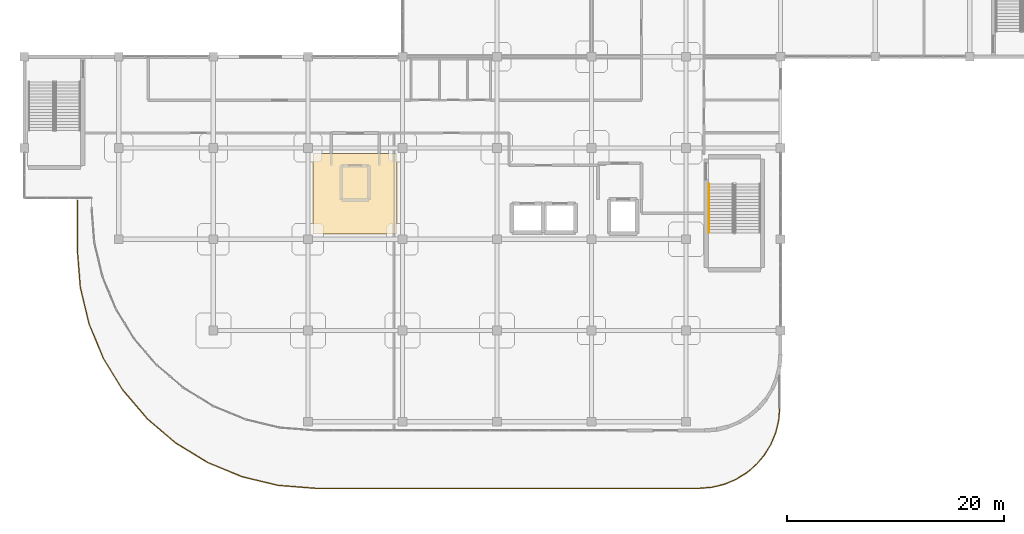
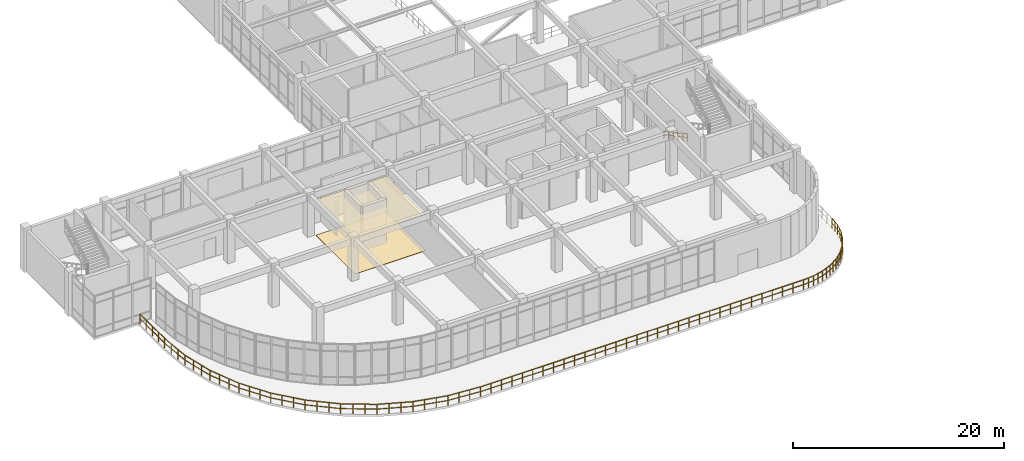
# One storey, part 86 of 96: 2 coverings, 2 railings.
"""IFC4 building model written with IfcOpenShell, lengths in metres."""

import ifcopenshell
import ifcopenshell.guid

model = None  # the IFC model being written
_history = None  # IfcOwnerHistory: only IFC2X3 demands one
_inside = {}  # id of a spatial element -> (the spatial element, [elements in it])
_under = {}  # id of a project, library or spatial element -> (it, [spatial elements below it])
_declared = {}  # id of a project -> (the project, [libraries it declares])
_typed = {}  # id of a type object -> (the type object, [elements of that type])
_made_of = {}  # id of a material, layer set ... -> (it, [elements and type objects made of it])


def new_model(schema):
    """Start an empty IFC model of exactly this schema.

    Asked for "IFC4X3", IfcOpenShell would pick the latest addendum, in which some entities
    have other attributes; the version numbers below select the first issue.
    IFC2X3 requires an IfcOwnerHistory on every rooted entity: one is made here for all.
    """
    global model, _history
    if schema == "IFC4X3":
        model = ifcopenshell.file(schema_version=(4, 3, 0, 0))
    else:
        model = ifcopenshell.file(schema=schema)
    _inside.clear()
    _under.clear()
    _declared.clear()
    _typed.clear()
    _made_of.clear()
    _history = None
    if model.schema == "IFC2X3":
        org = make("IfcOrganization", Name="unknown")
        user = make(
            "IfcPersonAndOrganization",
            ThePerson=make("IfcPerson", FamilyName="unknown"),
            TheOrganization=org,
        )
        app = make(
            "IfcApplication",
            ApplicationDeveloper=org,
            Version="unknown",
            ApplicationFullName="unknown",
            ApplicationIdentifier="unknown",
        )
        _history = make(
            "IfcOwnerHistory",
            OwningUser=user,
            OwningApplication=app,
            ChangeAction="ADDED",
            CreationDate=0,
        )
    return model


def make(cls, **values):
    """One entity of the class cls with the attributes given. An attribute that is None is left unset."""
    return model.create_entity(
        cls, **{name: value for name, value in values.items() if value is not None}
    )


def rooted(cls, **values):
    """An entity with a GlobalId (a new one), such as an element, a storey or a relation."""
    return make(cls, GlobalId=ifcopenshell.guid.new(), OwnerHistory=_history, **values)


def si_unit(unit_type, name, prefix=None):
    """IfcSIUnit, for example si_unit("LENGTHUNIT", "METRE", prefix="MILLI")."""
    return make("IfcSIUnit", UnitType=unit_type, Prefix=prefix, Name=name)


def derived_unit(unit_type, elements):
    """IfcDerivedUnit: a product of units, each with its exponent."""
    return make(
        "IfcDerivedUnit",
        Elements=[
            make("IfcDerivedUnitElement", Unit=unit, Exponent=power)
            for unit, power in elements
        ],
        UnitType=unit_type,
    )


def assignment(units):
    """IfcUnitAssignment: the units of a project."""
    return None if units is None else make("IfcUnitAssignment", Units=units)


def point(xyz):
    """IfcCartesianPoint."""
    return None if xyz is None else make("IfcCartesianPoint", Coordinates=xyz)


def direction(xyz):
    """IfcDirection."""
    return None if xyz is None else make("IfcDirection", DirectionRatios=xyz)


def frame(location, z_axis=None, x_axis=None):
    """IfcAxis2Placement3D, a coordinate frame: its origin and axes. An axis left out is left unset."""
    return make(
        "IfcAxis2Placement3D",
        Location=point(location),
        Axis=direction(z_axis),
        RefDirection=direction(x_axis),
    )


def frame_2d(location, x_axis=None):
    """IfcAxis2Placement2D, a coordinate frame in the plane: its origin and x axis."""
    return make(
        "IfcAxis2Placement2D", Location=point(location), RefDirection=direction(x_axis)
    )


def origin():
    """The frame at (0, 0, 0) with its axes left unset."""
    return frame((0.0, 0.0, 0.0))


def origin_2d():
    """The frame at (0, 0) in the plane with its x axis left unset."""
    return frame_2d((0.0, 0.0))


def place(relative_to, where):
    """IfcLocalPlacement: puts the frame where relative to a parent placement (None: the world)."""
    return make(
        "IfcLocalPlacement", PlacementRelTo=relative_to, RelativePlacement=where
    )


def context(
    kind, dimensions, precision=None, world=None, true_north=None, identifier=None
):
    """IfcGeometricRepresentationContext, for example the 3D "Model" context."""
    return make(
        "IfcGeometricRepresentationContext",
        ContextIdentifier=identifier,
        ContextType=kind,
        CoordinateSpaceDimension=dimensions,
        Precision=precision,
        WorldCoordinateSystem=world,
        TrueNorth=true_north,
    )


def subcontext(parent, identifier, kind, view, scale=None):
    """IfcGeometricRepresentationSubContext, for example "Body" below "Model"."""
    return make(
        "IfcGeometricRepresentationSubContext",
        ContextIdentifier=identifier,
        ContextType=kind,
        ParentContext=parent,
        TargetScale=scale,
        TargetView=view,
    )


def project(units=None, contexts=None):
    """IfcProject with its units and contexts."""
    return rooted(
        "IfcProject",
        Name="project",
        RepresentationContexts=contexts,
        UnitsInContext=assignment(units),
    )


def spatial(cls, under=None, at=None, **own):
    """A site, building, storey or space (cls), placed at a placement, below another one or the project."""
    s = rooted(cls, ObjectPlacement=at, **own)
    if under is not None:
        _under.setdefault(under.id(), (under, []))[1].append(s)
    return s


def polyline(points):
    """IfcPolyline through the points."""
    return make("IfcPolyline", Points=[point(p) for p in points])


def profile(cls, at=None, kind="AREA", **sizes):
    """A parametric profile (cls). Its sizes go by their IFC names, for example OverallWidth=200.0."""
    return make(cls, ProfileType=kind, Position=at, **sizes)


def circle(**sizes):
    """IfcCircleProfileDef."""
    return profile("IfcCircleProfileDef", **sizes)


def outline(outer, holes=None, kind="AREA"):
    """IfcArbitraryClosedProfileDef: a profile drawn as a closed curve; with holes, ...WithVoids."""
    if holes is None:
        return make("IfcArbitraryClosedProfileDef", ProfileType=kind, OuterCurve=outer)
    return make(
        "IfcArbitraryProfileDefWithVoids",
        ProfileType=kind,
        OuterCurve=outer,
        InnerCurves=holes,
    )


def extrude(swept, where, along, depth):
    """IfcExtrudedAreaSolid: the profile swept, set in the frame where, extruded along a direction by depth."""
    return make(
        "IfcExtrudedAreaSolid",
        SweptArea=swept,
        Position=where,
        ExtrudedDirection=direction(along),
        Depth=depth,
    )


def shape(context_of_items, identifier, shape_type, items):
    """IfcShapeRepresentation: the items that make up one representation, for example the "Body"."""
    return make(
        "IfcShapeRepresentation",
        ContextOfItems=context_of_items,
        RepresentationIdentifier=identifier,
        RepresentationType=shape_type,
        Items=items,
    )


def material(Name=None, Category=None):
    """IfcMaterial."""
    return make("IfcMaterial", Name=Name, Category=Category)


def layer(
    of_material, thickness, ventilated=None, Name=None, Category=None, Priority=None
):
    """IfcMaterialLayer: one layer of a wall or slab, of a material (None: an air gap)."""
    return make(
        "IfcMaterialLayer",
        Material=of_material,
        LayerThickness=thickness,
        IsVentilated=ventilated,
        Name=Name,
        Category=Category,
        Priority=Priority,
    )


def layer_set(layers, Name=None):
    """IfcMaterialLayerSet."""
    return make("IfcMaterialLayerSet", MaterialLayers=layers, LayerSetName=Name)


def made_of(thing, what):
    """Note that an element or type object is made of a material, layer set ...; save() writes the relation."""
    if what is not None:
        _made_of.setdefault(what.id(), (what, []))[1].append(thing)
    return thing


def type_object(cls, material=None, **own):
    """A type object (cls), such as IfcWallType, which elements share."""
    return made_of(rooted(cls, **own), material)


def element(
    cls,
    number,
    at=None,
    inside=None,
    cuts=None,
    type_object=None,
    material=None,
    context=None,
    identifier="Body",
    shape_type=None,
    held_by="IfcProductDefinitionShape",
    body=None,
    shapes=None,
    **own,
):
    """One element of the class cls, such as IfcWall. Its Tag is "e" and its number.

    at: its placement. inside: the storey or other place that contains it. cuts: it is an
    opening in that element (IfcRelVoidsElement). A single representation is given by context,
    identifier, shape_type and body (its items); several are given by shapes. held_by: the class
    of the entity that holds the representations. save() writes the other relations.
    """
    e = rooted(cls, Tag="e%d" % number, ObjectPlacement=at, **own)
    if body is not None:
        shapes = [shape(context, identifier, shape_type, body)]
    if shapes is not None:
        e.Representation = make(held_by, Representations=shapes)
    if inside is not None:
        _inside.setdefault(inside.id(), (inside, []))[1].append(e)
    if cuts is not None:
        rooted(
            "IfcRelVoidsElement", RelatingBuildingElement=cuts, RelatedOpeningElement=e
        )
    if type_object is not None:
        _typed.setdefault(type_object.id(), (type_object, []))[1].append(e)
    return made_of(e, material)


def aggregate(whole, parts):
    """IfcRelAggregates: a whole, such as a stair, and the parts it consists of."""
    return rooted("IfcRelAggregates", RelatingObject=whole, RelatedObjects=parts)


def save(model, path):
    """Write the relations noted so far, then the file.

    IfcRelAggregates (storeys below a building ...), IfcRelContainedInSpatialStructure (elements
    in a storey), IfcRelDefinesByType, IfcRelAssociatesMaterial and IfcRelDeclares: one each for
    every whole, place, type object, material and project.
    """
    for whole, parts in _under.values():
        aggregate(whole, parts)
    for where, things in _inside.values():
        rooted(
            "IfcRelContainedInSpatialStructure",
            RelatedElements=things,
            RelatingStructure=where,
        )
    for kind, things in _typed.values():
        rooted("IfcRelDefinesByType", RelatedObjects=things, RelatingType=kind)
    for what, things in _made_of.values():
        rooted("IfcRelAssociatesMaterial", RelatedObjects=things, RelatingMaterial=what)
    for by, libraries in _declared.values():
        rooted("IfcRelDeclares", RelatingContext=by, RelatedDefinitions=libraries)
    model.write(path)


model = new_model("IFC4")

# Units and contexts
model_context = context("Model", 3, precision=1e-05, world=origin(), true_north=direction((0.0, 1.0)))
body_context = subcontext(model_context, "Body", "Model", "MODEL_VIEW")
ifc_project = project(units=[si_unit("LENGTHUNIT", "METRE"), si_unit("AREAUNIT", "SQUARE_METRE"), si_unit("VOLUMEUNIT", "CUBIC_METRE"), si_unit("PLANEANGLEUNIT", "RADIAN"), si_unit("MASSUNIT", "GRAM", prefix="KILO"), derived_unit("THERMALTRANSMITTANCEUNIT", [(si_unit("MASSUNIT", "GRAM", prefix="KILO"), 1), (si_unit("TIMEUNIT", "SECOND"), -3), (si_unit("THERMODYNAMICTEMPERATUREUNIT", "KELVIN"), -1)])], contexts=[model_context])

# Site, building, storey
site_placement = place(None, origin())
site = spatial("IfcSite", under=ifc_project, at=site_placement, CompositionType="ELEMENT")
building_placement = place(site_placement, origin())
building = spatial("IfcBuilding", under=site, at=building_placement, Name="Qinzheling Arcade Emporium", CompositionType="ELEMENT")
storey_placement = place(building_placement, frame((0.0, 0.0, 21.60009765625)))
storey = spatial("IfcBuildingStorey", under=building, at=storey_placement, Name="L05", CompositionType="ELEMENT", Elevation=21.60009765625)

# Railing
ifc_material_1 = material(Name="Architectural bronze rail and laminated safety glass", Category="glass")
railing_type_1 = type_object("IfcRailingType", Name="Curved Terrace Laminated Glass and Bronze Balustrade 1150", PredefinedType="BALUSTRADE", material=ifc_material_1)
railing_1_placement = place(storey_placement, frame((69.52001953125, 9.702880859375, 0.0)))
element("IfcRailing", 1, at=railing_1_placement, inside=storey, type_object=railing_type_1, Name="Terrace Balustrade RLG-TER-L05-008", PredefinedType="BALUSTRADE", context=body_context, shape_type="SweptSolid", body=[
    extrude(circle(Radius=0.02392578125, at=origin_2d()), frame((0.0, 0.0, 1.1259765625), z_axis=(-0.078072952537, -0.996947648617, 0.0), x_axis=(0.996947648617, -0.078072952537, 0.0)), (0.0, 0.0, 1.0), 1.16650390625),
    extrude(circle(Radius=0.01611328125, at=origin_2d()), frame((0.0, 0.0, 0.574951171875), z_axis=(-0.078072952537, -0.996947648617, 0.0), x_axis=(0.996947648617, -0.078072952537, 0.0)), (0.0, 0.0, 1.0), 1.16650390625),
    extrude(circle(Radius=0.02392578125, at=origin_2d()), frame((-0.091064453125, -1.162841796875, 1.1259765625), z_axis=(-0.233404649694, -0.972379694102, 0.0), x_axis=(0.972379694102, -0.233404649694, 0.0)), (0.0, 0.0, 1.0), 1.165283203125),
    extrude(circle(Radius=0.01611328125, at=origin_2d()), frame((-0.091064453125, -1.162841796875, 0.574951171875), z_axis=(-0.233404649694, -0.972379694102, 0.0), x_axis=(0.972379694102, -0.233404649694, 0.0)), (0.0, 0.0, 1.0), 1.165283203125),
    extrude(circle(Radius=0.02392578125, at=origin_2d()), frame((-0.363037109375, -2.2958984375, 1.1259765625), z_axis=(-0.382962672075, -0.92376381819, 0.0), x_axis=(0.92376381819, -0.382962672075, 0.0)), (0.0, 0.0, 1.0), 1.164794921875),
    extrude(circle(Radius=0.01611328125, at=origin_2d()), frame((-0.363037109375, -2.2958984375, 0.574951171875), z_axis=(-0.382962672075, -0.92376381819, 0.0), x_axis=(0.92376381819, -0.382962672075, 0.0)), (0.0, 0.0, 1.0), 1.164794921875),
    extrude(circle(Radius=0.02392578125, at=origin_2d()), frame((-0.80908203125, -3.371826171875, 1.1259765625), z_axis=(-0.522527611552, -0.852622363749, 0.0), x_axis=(0.852622363749, -0.522527611552, 0.0)), (0.0, 0.0, 1.0), 1.163330078125),
    extrude(circle(Radius=0.01611328125, at=origin_2d()), frame((-0.80908203125, -3.371826171875, 0.574951171875), z_axis=(-0.522527611552, -0.852622363749, 0.0), x_axis=(0.852622363749, -0.522527611552, 0.0)), (0.0, 0.0, 1.0), 1.163330078125),
    extrude(circle(Radius=0.02392578125, at=origin_2d()), frame((-1.4169921875, -4.36376953125, 1.1259765625), z_axis=(-0.650048741451, -0.759892514595, 0.0), x_axis=(0.759892514595, -0.650048741451, 0.0)), (0.0, 0.0, 1.0), 1.16455078125),
    extrude(circle(Radius=0.01611328125, at=origin_2d()), frame((-1.4169921875, -4.36376953125, 0.574951171875), z_axis=(-0.650048741451, -0.759892514595, 0.0), x_axis=(0.759892514595, -0.650048741451, 0.0)), (0.0, 0.0, 1.0), 1.16455078125),
    extrude(circle(Radius=0.02392578125, at=origin_2d()), frame((-2.174072265625, -5.248779296875, 1.1259765625), z_axis=(-0.759892514595, -0.650048741451, 0.0), x_axis=(0.650048741451, -0.759892514595, 0.0)), (0.0, 0.0, 1.0), 1.16455078125),
    extrude(circle(Radius=0.01611328125, at=origin_2d()), frame((-2.174072265625, -5.248779296875, 0.574951171875), z_axis=(-0.759892514595, -0.650048741451, 0.0), x_axis=(0.650048741451, -0.759892514595, 0.0)), (0.0, 0.0, 1.0), 1.16455078125),
    extrude(circle(Radius=0.02392578125, at=origin_2d()), frame((-3.05908203125, -6.005859375, 1.1259765625), z_axis=(-0.852622363749, -0.522527611552, 0.0), x_axis=(0.522527611552, -0.852622363749, 0.0)), (0.0, 0.0, 1.0), 1.163330078125),
    extrude(circle(Radius=0.01611328125, at=origin_2d()), frame((-3.05908203125, -6.005859375, 0.574951171875), z_axis=(-0.852622363749, -0.522527611552, 0.0), x_axis=(0.522527611552, -0.852622363749, 0.0)), (0.0, 0.0, 1.0), 1.163330078125),
    extrude(circle(Radius=0.02392578125, at=origin_2d()), frame((-4.051025390625, -6.61376953125, 1.1259765625), z_axis=(-0.92376381819, -0.382962672075, 0.0), x_axis=(0.382962672075, -0.92376381819, 0.0)), (0.0, 0.0, 1.0), 1.164794921875),
    extrude(circle(Radius=0.01611328125, at=origin_2d()), frame((-4.051025390625, -6.61376953125, 0.574951171875), z_axis=(-0.92376381819, -0.382962672075, 0.0), x_axis=(0.382962672075, -0.92376381819, 0.0)), (0.0, 0.0, 1.0), 1.164794921875),
    extrude(circle(Radius=0.02392578125, at=origin_2d()), frame((-5.126953125, -7.059814453125, 1.1259765625), z_axis=(-0.972379694102, -0.233404649694, 0.0), x_axis=(0.233404649694, -0.972379694102, 0.0)), (0.0, 0.0, 1.0), 1.165283203125),
    extrude(circle(Radius=0.01611328125, at=origin_2d()), frame((-5.126953125, -7.059814453125, 0.574951171875), z_axis=(-0.972379694102, -0.233404649694, 0.0), x_axis=(0.233404649694, -0.972379694102, 0.0)), (0.0, 0.0, 1.0), 1.165283203125),
    extrude(circle(Radius=0.02392578125, at=origin_2d()), frame((-6.260009765625, -7.331787109375, 1.1259765625), z_axis=(-0.996948924048, -0.078056664288, 0.0), x_axis=(0.078056664288, -0.996948924048, 0.0)), (0.0, 0.0, 1.0), 1.166748046875),
    extrude(circle(Radius=0.01611328125, at=origin_2d()), frame((-6.260009765625, -7.331787109375, 0.574951171875), z_axis=(-0.996948924048, -0.078056664288, 0.0), x_axis=(0.078056664288, -0.996948924048, 0.0)), (0.0, 0.0, 1.0), 1.166748046875),
    extrude(circle(Radius=0.02392578125, at=origin_2d()), frame((-7.423095703125, -7.4228515625, 1.1259765625), z_axis=(-1.0, 0.0, 0.0), x_axis=(0.0, -1.0, 0.0)), (0.0, 0.0, 1.0), 35.2939453125),
    extrude(circle(Radius=0.01611328125, at=origin_2d()), frame((-7.423095703125, -7.4228515625, 0.574951171875), z_axis=(-1.0, 0.0, 0.0), x_axis=(0.0, -1.0, 0.0)), (0.0, 0.0, 1.0), 35.2939453125),
    extrude(circle(Radius=0.02392578125, at=origin_2d()), frame((-42.717041015625, -7.4228515625, 1.1259765625), z_axis=(-0.996919052515, 0.078437253474, 0.0), x_axis=(-0.078437253474, -0.996919052515, 0.0)), (0.0, 0.0, 1.0), 3.4423828125),
    extrude(circle(Radius=0.01611328125, at=origin_2d()), frame((-42.717041015625, -7.4228515625, 0.574951171875), z_axis=(-0.996919052515, 0.078437253474, 0.0), x_axis=(-0.078437253474, -0.996919052515, 0.0)), (0.0, 0.0, 1.0), 3.4423828125),
    extrude(circle(Radius=0.02392578125, at=origin_2d()), frame((-46.14892578125, -7.15283203125, 1.1259765625), z_axis=(-0.972359586201, 0.233488404688, 0.0), x_axis=(-0.233488404688, -0.972359586201, 0.0)), (0.0, 0.0, 1.0), 3.43896484375),
    extrude(circle(Radius=0.01611328125, at=origin_2d()), frame((-46.14892578125, -7.15283203125, 0.574951171875), z_axis=(-0.972359586201, 0.233488404688, 0.0), x_axis=(-0.233488404688, -0.972359586201, 0.0)), (0.0, 0.0, 1.0), 3.43896484375),
    extrude(circle(Radius=0.02392578125, at=origin_2d()), frame((-49.492919921875, -6.349853515625, 1.1259765625), z_axis=(-0.923876748429, 0.382690153665, 0.0), x_axis=(-0.382690153665, -0.923876748429, 0.0)), (0.0, 0.0, 1.0), 3.441162109375),
    extrude(circle(Radius=0.01611328125, at=origin_2d()), frame((-49.492919921875, -6.349853515625, 0.574951171875), z_axis=(-0.923876748429, 0.382690153665, 0.0), x_axis=(-0.382690153665, -0.923876748429, 0.0)), (0.0, 0.0, 1.0), 3.441162109375),
    extrude(circle(Radius=0.02392578125, at=origin_2d()), frame((-52.672119140625, -5.032958984375, 1.1259765625), z_axis=(-0.852580844681, 0.522595353293, 0.0), x_axis=(-0.522595353293, -0.852580844681, 0.0)), (0.0, 0.0, 1.0), 3.438720703125),
    extrude(circle(Radius=0.01611328125, at=origin_2d()), frame((-52.672119140625, -5.032958984375, 0.574951171875), z_axis=(-0.852580844681, 0.522595353293, 0.0), x_axis=(-0.522595353293, -0.852580844681, 0.0)), (0.0, 0.0, 1.0), 3.438720703125),
    extrude(circle(Radius=0.02392578125, at=origin_2d()), frame((-55.60400390625, -3.23583984375, 1.1259765625), z_axis=(-0.760337889798, 0.649527746396, 0.0), x_axis=(-0.649527746396, -0.760337889798, 0.0)), (0.0, 0.0, 1.0), 3.439208984375),
    extrude(circle(Radius=0.01611328125, at=origin_2d()), frame((-55.60400390625, -3.23583984375, 0.574951171875), z_axis=(-0.760337889798, 0.649527746396, 0.0), x_axis=(-0.649527746396, -0.760337889798, 0.0)), (0.0, 0.0, 1.0), 3.439208984375),
    extrude(circle(Radius=0.02392578125, at=origin_2d()), frame((-58.218994140625, -1.001953125, 1.1259765625), z_axis=(-0.649568781907, 0.760302832806, 0.0), x_axis=(-0.760302832806, -0.649568781907, 0.0)), (0.0, 0.0, 1.0), 3.439453125),
    extrude(circle(Radius=0.01611328125, at=origin_2d()), frame((-58.218994140625, -1.001953125, 0.574951171875), z_axis=(-0.649568781907, 0.760302832806, 0.0), x_axis=(-0.760302832806, -0.649568781907, 0.0)), (0.0, 0.0, 1.0), 3.439453125),
    extrude(circle(Radius=0.02392578125, at=origin_2d()), frame((-60.453125, 1.613037109375, 1.1259765625), z_axis=(-0.52251211456, 0.852631860851, 0.0), x_axis=(-0.852631860851, -0.52251211456, 0.0)), (0.0, 0.0, 1.0), 3.43896484375),
    extrude(circle(Radius=0.01611328125, at=origin_2d()), frame((-60.453125, 1.613037109375, 0.574951171875), z_axis=(-0.52251211456, 0.852631860851, 0.0), x_axis=(-0.852631860851, -0.52251211456, 0.0)), (0.0, 0.0, 1.0), 3.43896484375),
    extrude(circle(Radius=0.02392578125, at=origin_2d()), frame((-62.25, 4.545166015625, 1.1259765625), z_axis=(-0.382775796369, 0.923841268679, 0.0), x_axis=(-0.923841268679, -0.382775796369, 0.0)), (0.0, 0.0, 1.0), 3.44091796875),
    extrude(circle(Radius=0.01611328125, at=origin_2d()), frame((-62.25, 4.545166015625, 0.574951171875), z_axis=(-0.382775796369, 0.923841268679, 0.0), x_axis=(-0.923841268679, -0.382775796369, 0.0)), (0.0, 0.0, 1.0), 3.44091796875),
    extrude(circle(Radius=0.02392578125, at=origin_2d()), frame((-63.567138671875, 7.72412109375, 1.1259765625), z_axis=(-0.233488404688, 0.972359586201, 0.0), x_axis=(-0.972359586201, -0.233488404688, 0.0)), (0.0, 0.0, 1.0), 3.43896484375),
    extrude(circle(Radius=0.01611328125, at=origin_2d()), frame((-63.567138671875, 7.72412109375, 0.574951171875), z_axis=(-0.233488404688, 0.972359586201, 0.0), x_axis=(-0.972359586201, -0.233488404688, 0.0)), (0.0, 0.0, 1.0), 3.43896484375),
    extrude(circle(Radius=0.02392578125, at=origin_2d()), frame((-64.3701171875, 11.068115234375, 1.1259765625), z_axis=(-0.078437253474, 0.996919052515, 0.0), x_axis=(-0.996919052515, -0.078437253474, 0.0)), (0.0, 0.0, 1.0), 3.4423828125),
    extrude(circle(Radius=0.01611328125, at=origin_2d()), frame((-64.3701171875, 11.068115234375, 0.574951171875), z_axis=(-0.078437253474, 0.996919052515, 0.0), x_axis=(-0.996919052515, -0.078437253474, 0.0)), (0.0, 0.0, 1.0), 3.4423828125),
    extrude(circle(Radius=0.02392578125, at=origin_2d()), frame((-64.64013671875, 14.5, 1.1259765625), z_axis=(0.0, 1.0, 0.0), x_axis=(-1.0, 0.0, 0.0)), (0.0, 0.0, 1.0), 4.5771484375),
    extrude(circle(Radius=0.01611328125, at=origin_2d()), frame((-64.64013671875, 14.5, 0.574951171875), z_axis=(0.0, 1.0, 0.0), x_axis=(-1.0, 0.0, 0.0)), (0.0, 0.0, 1.0), 4.5771484375),
    extrude(circle(Radius=0.02099609375, at=origin_2d()), origin(), (0.0, 0.0, 1.0), 1.101806640625),
    extrude(circle(Radius=0.02099609375, at=origin_2d()), frame((-0.04541015625, -0.58154296875, 0.0)), (0.0, 0.0, 1.0), 1.101806640625),
    extrude(circle(Radius=0.02099609375, at=origin_2d()), frame((-0.091064453125, -1.162841796875, 0.0)), (0.0, 0.0, 1.0), 1.101806640625),
    extrude(circle(Radius=0.02099609375, at=origin_2d()), frame((-0.22705078125, -1.7294921875, 0.0)), (0.0, 0.0, 1.0), 1.101806640625),
    extrude(circle(Radius=0.02099609375, at=origin_2d()), frame((-0.363037109375, -2.2958984375, 0.0)), (0.0, 0.0, 1.0), 1.101806640625),
    extrude(circle(Radius=0.02099609375, at=origin_2d()), frame((-0.5859375, -2.833984375, 0.0)), (0.0, 0.0, 1.0), 1.101806640625),
    extrude(circle(Radius=0.02099609375, at=origin_2d()), frame((-0.80908203125, -3.371826171875, 0.0)), (0.0, 0.0, 1.0), 1.101806640625),
    extrude(circle(Radius=0.02099609375, at=origin_2d()), frame((-1.113037109375, -3.86767578125, 0.0)), (0.0, 0.0, 1.0), 1.101806640625),
    extrude(circle(Radius=0.02099609375, at=origin_2d()), frame((-1.4169921875, -4.36376953125, 0.0)), (0.0, 0.0, 1.0), 1.101806640625),
    extrude(circle(Radius=0.02099609375, at=origin_2d()), frame((-1.79541015625, -4.80615234375, 0.0)), (0.0, 0.0, 1.0), 1.101806640625),
    extrude(circle(Radius=0.02099609375, at=origin_2d()), frame((-2.174072265625, -5.248779296875, 0.0)), (0.0, 0.0, 1.0), 1.101806640625),
    extrude(circle(Radius=0.02099609375, at=origin_2d()), frame((-2.61669921875, -5.62744140625, 0.0)), (0.0, 0.0, 1.0), 1.101806640625),
    extrude(circle(Radius=0.02099609375, at=origin_2d()), frame((-3.05908203125, -6.005859375, 0.0)), (0.0, 0.0, 1.0), 1.101806640625),
    extrude(circle(Radius=0.02099609375, at=origin_2d()), frame((-3.55517578125, -6.309814453125, 0.0)), (0.0, 0.0, 1.0), 1.101806640625),
    extrude(circle(Radius=0.02099609375, at=origin_2d()), frame((-4.051025390625, -6.61376953125, 0.0)), (0.0, 0.0, 1.0), 1.101806640625),
    extrude(circle(Radius=0.02099609375, at=origin_2d()), frame((-4.5888671875, -6.8369140625, 0.0)), (0.0, 0.0, 1.0), 1.101806640625),
    extrude(circle(Radius=0.02099609375, at=origin_2d()), frame((-5.126953125, -7.059814453125, 0.0)), (0.0, 0.0, 1.0), 1.101806640625),
    extrude(circle(Radius=0.02099609375, at=origin_2d()), frame((-5.693359375, -7.19580078125, 0.0)), (0.0, 0.0, 1.0), 1.101806640625),
    extrude(circle(Radius=0.02099609375, at=origin_2d()), frame((-6.260009765625, -7.331787109375, 0.0)), (0.0, 0.0, 1.0), 1.101806640625),
    extrude(circle(Radius=0.02099609375, at=origin_2d()), frame((-6.841552734375, -7.37744140625, 0.0)), (0.0, 0.0, 1.0), 1.101806640625),
    extrude(circle(Radius=0.02099609375, at=origin_2d()), frame((-7.423095703125, -7.4228515625, 0.0)), (0.0, 0.0, 1.0), 1.101806640625),
    extrude(circle(Radius=0.02099609375, at=origin_2d()), frame((-8.5615234375, -7.4228515625, 0.0)), (0.0, 0.0, 1.0), 1.101806640625),
    extrude(circle(Radius=0.02099609375, at=origin_2d()), frame((-9.7001953125, -7.4228515625, 0.0)), (0.0, 0.0, 1.0), 1.101806640625),
    extrude(circle(Radius=0.02099609375, at=origin_2d()), frame((-10.838623046875, -7.4228515625, 0.0)), (0.0, 0.0, 1.0), 1.101806640625),
    extrude(circle(Radius=0.02099609375, at=origin_2d()), frame((-11.97705078125, -7.4228515625, 0.0)), (0.0, 0.0, 1.0), 1.101806640625),
    extrude(circle(Radius=0.02099609375, at=origin_2d()), frame((-13.11572265625, -7.4228515625, 0.0)), (0.0, 0.0, 1.0), 1.101806640625),
    extrude(circle(Radius=0.02099609375, at=origin_2d()), frame((-14.254150390625, -7.4228515625, 0.0)), (0.0, 0.0, 1.0), 1.101806640625),
    extrude(circle(Radius=0.02099609375, at=origin_2d()), frame((-15.392578125, -7.4228515625, 0.0)), (0.0, 0.0, 1.0), 1.101806640625),
    extrude(circle(Radius=0.02099609375, at=origin_2d()), frame((-16.53125, -7.4228515625, 0.0)), (0.0, 0.0, 1.0), 1.101806640625),
    extrude(circle(Radius=0.02099609375, at=origin_2d()), frame((-17.669677734375, -7.4228515625, 0.0)), (0.0, 0.0, 1.0), 1.101806640625),
    extrude(circle(Radius=0.02099609375, at=origin_2d()), frame((-18.808349609375, -7.4228515625, 0.0)), (0.0, 0.0, 1.0), 1.101806640625),
    extrude(circle(Radius=0.02099609375, at=origin_2d()), frame((-19.94677734375, -7.4228515625, 0.0)), (0.0, 0.0, 1.0), 1.101806640625),
    extrude(circle(Radius=0.02099609375, at=origin_2d()), frame((-21.085205078125, -7.4228515625, 0.0)), (0.0, 0.0, 1.0), 1.101806640625),
    extrude(circle(Radius=0.02099609375, at=origin_2d()), frame((-22.223876953125, -7.4228515625, 0.0)), (0.0, 0.0, 1.0), 1.101806640625),
    extrude(circle(Radius=0.02099609375, at=origin_2d()), frame((-23.3623046875, -7.4228515625, 0.0)), (0.0, 0.0, 1.0), 1.101806640625),
    extrude(circle(Radius=0.02099609375, at=origin_2d()), frame((-24.500732421875, -7.4228515625, 0.0)), (0.0, 0.0, 1.0), 1.101806640625),
    extrude(circle(Radius=0.02099609375, at=origin_2d()), frame((-25.639404296875, -7.4228515625, 0.0)), (0.0, 0.0, 1.0), 1.101806640625),
    extrude(circle(Radius=0.02099609375, at=origin_2d()), frame((-26.77783203125, -7.4228515625, 0.0)), (0.0, 0.0, 1.0), 1.101806640625),
    extrude(circle(Radius=0.02099609375, at=origin_2d()), frame((-27.916259765625, -7.4228515625, 0.0)), (0.0, 0.0, 1.0), 1.101806640625),
    extrude(circle(Radius=0.02099609375, at=origin_2d()), frame((-29.054931640625, -7.4228515625, 0.0)), (0.0, 0.0, 1.0), 1.101806640625),
    extrude(circle(Radius=0.02099609375, at=origin_2d()), frame((-30.193359375, -7.4228515625, 0.0)), (0.0, 0.0, 1.0), 1.101806640625),
    extrude(circle(Radius=0.02099609375, at=origin_2d()), frame((-31.331787109375, -7.4228515625, 0.0)), (0.0, 0.0, 1.0), 1.101806640625),
    extrude(circle(Radius=0.02099609375, at=origin_2d()), frame((-32.470458984375, -7.4228515625, 0.0)), (0.0, 0.0, 1.0), 1.101806640625),
    extrude(circle(Radius=0.02099609375, at=origin_2d()), frame((-33.60888671875, -7.4228515625, 0.0)), (0.0, 0.0, 1.0), 1.101806640625),
    extrude(circle(Radius=0.02099609375, at=origin_2d()), frame((-34.74755859375, -7.4228515625, 0.0)), (0.0, 0.0, 1.0), 1.101806640625),
    extrude(circle(Radius=0.02099609375, at=origin_2d()), frame((-35.885986328125, -7.4228515625, 0.0)), (0.0, 0.0, 1.0), 1.101806640625),
    extrude(circle(Radius=0.02099609375, at=origin_2d()), frame((-37.0244140625, -7.4228515625, 0.0)), (0.0, 0.0, 1.0), 1.101806640625),
    extrude(circle(Radius=0.02099609375, at=origin_2d()), frame((-38.1630859375, -7.4228515625, 0.0)), (0.0, 0.0, 1.0), 1.101806640625),
    extrude(circle(Radius=0.02099609375, at=origin_2d()), frame((-39.301513671875, -7.4228515625, 0.0)), (0.0, 0.0, 1.0), 1.101806640625),
    extrude(circle(Radius=0.02099609375, at=origin_2d()), frame((-40.43994140625, -7.4228515625, 0.0)), (0.0, 0.0, 1.0), 1.101806640625),
    extrude(circle(Radius=0.02099609375, at=origin_2d()), frame((-41.57861328125, -7.4228515625, 0.0)), (0.0, 0.0, 1.0), 1.101806640625),
    extrude(circle(Radius=0.02099609375, at=origin_2d()), frame((-42.717041015625, -7.4228515625, 0.0)), (0.0, 0.0, 1.0), 1.101806640625),
    extrude(circle(Radius=0.02099609375, at=origin_2d()), frame((-43.861083984375, -7.332763671875, 0.0)), (0.0, 0.0, 1.0), 1.101806640625),
    extrude(circle(Radius=0.02099609375, at=origin_2d()), frame((-45.0048828125, -7.242919921875, 0.0)), (0.0, 0.0, 1.0), 1.101806640625),
    extrude(circle(Radius=0.02099609375, at=origin_2d()), frame((-46.14892578125, -7.15283203125, 0.0)), (0.0, 0.0, 1.0), 1.101806640625),
    extrude(circle(Radius=0.02099609375, at=origin_2d()), frame((-47.263671875, -6.88525390625, 0.0)), (0.0, 0.0, 1.0), 1.101806640625),
    extrude(circle(Radius=0.02099609375, at=origin_2d()), frame((-48.378173828125, -6.617431640625, 0.0)), (0.0, 0.0, 1.0), 1.101806640625),
    extrude(circle(Radius=0.02099609375, at=origin_2d()), frame((-49.492919921875, -6.349853515625, 0.0)), (0.0, 0.0, 1.0), 1.101806640625),
    extrude(circle(Radius=0.02099609375, at=origin_2d()), frame((-50.552734375, -5.910888671875, 0.0)), (0.0, 0.0, 1.0), 1.101806640625),
    extrude(circle(Radius=0.02099609375, at=origin_2d()), frame((-51.6123046875, -5.471923828125, 0.0)), (0.0, 0.0, 1.0), 1.101806640625),
    extrude(circle(Radius=0.02099609375, at=origin_2d()), frame((-52.672119140625, -5.032958984375, 0.0)), (0.0, 0.0, 1.0), 1.101806640625),
    extrude(circle(Radius=0.02099609375, at=origin_2d()), frame((-53.6494140625, -4.433837890625, 0.0)), (0.0, 0.0, 1.0), 1.101806640625),
    extrude(circle(Radius=0.02099609375, at=origin_2d()), frame((-54.626708984375, -3.8349609375, 0.0)), (0.0, 0.0, 1.0), 1.101806640625),
    extrude(circle(Radius=0.02099609375, at=origin_2d()), frame((-55.60400390625, -3.23583984375, 0.0)), (0.0, 0.0, 1.0), 1.101806640625),
    extrude(circle(Radius=0.02099609375, at=origin_2d()), frame((-56.4755859375, -2.4912109375, 0.0)), (0.0, 0.0, 1.0), 1.101806640625),
    extrude(circle(Radius=0.02099609375, at=origin_2d()), frame((-57.347412109375, -1.74658203125, 0.0)), (0.0, 0.0, 1.0), 1.101806640625),
    extrude(circle(Radius=0.02099609375, at=origin_2d()), frame((-58.218994140625, -1.001953125, 0.0)), (0.0, 0.0, 1.0), 1.101806640625),
    extrude(circle(Radius=0.02099609375, at=origin_2d()), frame((-58.963623046875, -0.13037109375, 0.0)), (0.0, 0.0, 1.0), 1.101806640625),
    extrude(circle(Radius=0.02099609375, at=origin_2d()), frame((-59.70849609375, 0.741455078125, 0.0)), (0.0, 0.0, 1.0), 1.101806640625),
    extrude(circle(Radius=0.02099609375, at=origin_2d()), frame((-60.453125, 1.613037109375, 0.0)), (0.0, 0.0, 1.0), 1.101806640625),
    extrude(circle(Radius=0.02099609375, at=origin_2d()), frame((-61.052001953125, 2.59033203125, 0.0)), (0.0, 0.0, 1.0), 1.101806640625),
    extrude(circle(Radius=0.02099609375, at=origin_2d()), frame((-61.651123046875, 3.56787109375, 0.0)), (0.0, 0.0, 1.0), 1.101806640625),
    extrude(circle(Radius=0.02099609375, at=origin_2d()), frame((-62.25, 4.545166015625, 0.0)), (0.0, 0.0, 1.0), 1.101806640625),
    extrude(circle(Radius=0.02099609375, at=origin_2d()), frame((-62.68896484375, 5.604736328125, 0.0)), (0.0, 0.0, 1.0), 1.101806640625),
    extrude(circle(Radius=0.02099609375, at=origin_2d()), frame((-63.128173828125, 6.66455078125, 0.0)), (0.0, 0.0, 1.0), 1.101806640625),
    extrude(circle(Radius=0.02099609375, at=origin_2d()), frame((-63.567138671875, 7.72412109375, 0.0)), (0.0, 0.0, 1.0), 1.101806640625),
    extrude(circle(Radius=0.02099609375, at=origin_2d()), frame((-63.834716796875, 8.8388671875, 0.0)), (0.0, 0.0, 1.0), 1.101806640625),
    extrude(circle(Radius=0.02099609375, at=origin_2d()), frame((-64.1025390625, 9.953369140625, 0.0)), (0.0, 0.0, 1.0), 1.101806640625),
    extrude(circle(Radius=0.02099609375, at=origin_2d()), frame((-64.3701171875, 11.068115234375, 0.0)), (0.0, 0.0, 1.0), 1.101806640625),
    extrude(circle(Radius=0.02099609375, at=origin_2d()), frame((-64.460205078125, 12.212158203125, 0.0)), (0.0, 0.0, 1.0), 1.101806640625),
    extrude(circle(Radius=0.02099609375, at=origin_2d()), frame((-64.550048828125, 13.35595703125, 0.0)), (0.0, 0.0, 1.0), 1.101806640625),
    extrude(circle(Radius=0.02099609375, at=origin_2d()), frame((-64.64013671875, 14.5, 0.0)), (0.0, 0.0, 1.0), 1.101806640625),
    extrude(circle(Radius=0.02099609375, at=origin_2d()), frame((-64.64013671875, 15.644287109375, 0.0)), (0.0, 0.0, 1.0), 1.101806640625),
    extrude(circle(Radius=0.02099609375, at=origin_2d()), frame((-64.64013671875, 16.78857421875, 0.0)), (0.0, 0.0, 1.0), 1.101806640625),
    extrude(circle(Radius=0.02099609375, at=origin_2d()), frame((-64.64013671875, 17.932861328125, 0.0)), (0.0, 0.0, 1.0), 1.101806640625),
    extrude(circle(Radius=0.02099609375, at=origin_2d()), frame((-64.64013671875, 19.0771484375, 0.0)), (0.0, 0.0, 1.0), 1.101806640625),
])

# Coverings
ifc_material_2 = material(Name="Mineral-fibre acoustic ceiling board")
ifc_layer_1 = layer(ifc_material_2, 0.02490234375, Name="Mineral-fibre acoustic ceiling board")
ifc_layer_set_1 = layer_set([ifc_layer_1], Name="Mineral-fibre acoustic ceiling board")
covering_type_1 = type_object("IfcCoveringType", Name="Perforated Mineral Acoustic Ceiling 25", PredefinedType="CEILING", material=ifc_layer_set_1)
covering_1_placement = place(storey_placement, frame((0.0, 0.0, 4.14990234375)))
element("IfcCovering", 2, at=covering_1_placement, inside=storey, type_object=covering_type_1, Name="Acoustic Ceiling L05", PredefinedType="CEILING", context=body_context, shape_type="SweptSolid", body=[
    extrude(outline(polyline([(26.580078125, 25.699951171875), (34.320068359375, 25.699951171875), (34.320068359375, 33.10009765625), (26.580078125, 33.10009765625), (26.580078125, 25.699951171875)])), origin(), (0.0, 0.0, 1.0), 0.02490234375),
])
ifc_material_3 = material(Name="Polished terrazzo stone finish", Category="masonry")
ifc_layer_2 = layer(ifc_material_3, 0.034912109375, Name="Polished terrazzo stone finish", Category="masonry")
ifc_layer_set_2 = layer_set([ifc_layer_2], Name="Polished terrazzo stone finish")
covering_type_2 = type_object("IfcCoveringType", Name="Polished Terrazzo Retail Flooring 35", PredefinedType="FLOORING", material=ifc_layer_set_2)
covering_2_placement = place(storey_placement, origin())
element("IfcCovering", 3, at=covering_2_placement, inside=storey, type_object=covering_type_2, Name="Terrazzo Flooring L05", PredefinedType="FLOORING", context=body_context, shape_type="SweptSolid", body=[
    extrude(outline(polyline([(26.580078125, 25.699951171875), (34.320068359375, 25.699951171875), (34.320068359375, 33.10009765625), (26.580078125, 33.10009765625), (26.580078125, 25.699951171875)])), origin(), (0.0, 0.0, 1.0), 0.034912109375),
])

# Railing
ifc_material_4 = material(Name="Brushed stainless steel 304", Category="steel")
railing_type_2 = type_object("IfcRailingType", Name="Stainless Steel Wall Handrail 900", PredefinedType="HANDRAIL", material=ifc_material_4)
railing_2_placement = place(storey_placement, frame((63.0, 30.280029296875, 0.14990234375)))
element("IfcRailing", 4, at=railing_2_placement, inside=storey, type_object=railing_type_2, Name="L05 ST01 stair handrail 1", PredefinedType="HANDRAIL", context=body_context, shape_type="SweptSolid", body=[
    extrude(circle(Radius=0.02392578125, at=origin_2d()), frame((0.0, 0.0, 0.8759765625), z_axis=(0.0, -0.881487111273, 0.472208081951), x_axis=(1.0, 0.0, 0.0)), (0.0, 0.0, 1.0), 5.082275390625),
    extrude(circle(Radius=0.01611328125, at=origin_2d()), frame((0.0, 0.0, 0.449951171875), z_axis=(0.0, -0.881487111273, 0.472208081951), x_axis=(1.0, 0.0, 0.0)), (0.0, 0.0, 1.0), 5.082275390625),
    extrude(circle(Radius=0.02099609375, at=origin_2d()), origin(), (0.0, 0.0, 1.0), 0.851806640625),
    extrude(circle(Radius=0.02099609375, at=origin_2d()), frame((0.0, -0.89599609375, 0.47998046875)), (0.0, 0.0, 1.0), 0.851806640625),
    extrude(circle(Radius=0.02099609375, at=origin_2d()), frame((0.0, -1.7919921875, 0.9599609375)), (0.0, 0.0, 1.0), 0.851806640625),
    extrude(circle(Radius=0.02099609375, at=origin_2d()), frame((0.0, -2.68798828125, 1.43994140625)), (0.0, 0.0, 1.0), 0.851806640625),
    extrude(circle(Radius=0.02099609375, at=origin_2d()), frame((0.0, -3.583984375, 1.919921875)), (0.0, 0.0, 1.0), 0.851806640625),
    extrude(circle(Radius=0.02099609375, at=origin_2d()), frame((0.0, -4.47998046875, 2.39990234375)), (0.0, 0.0, 1.0), 0.851806640625),
])

save(model, "model.ifc")
